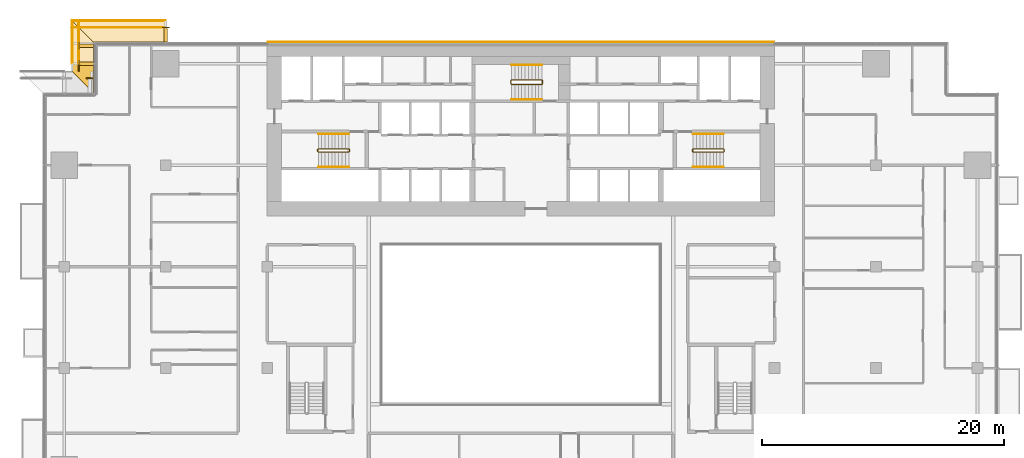
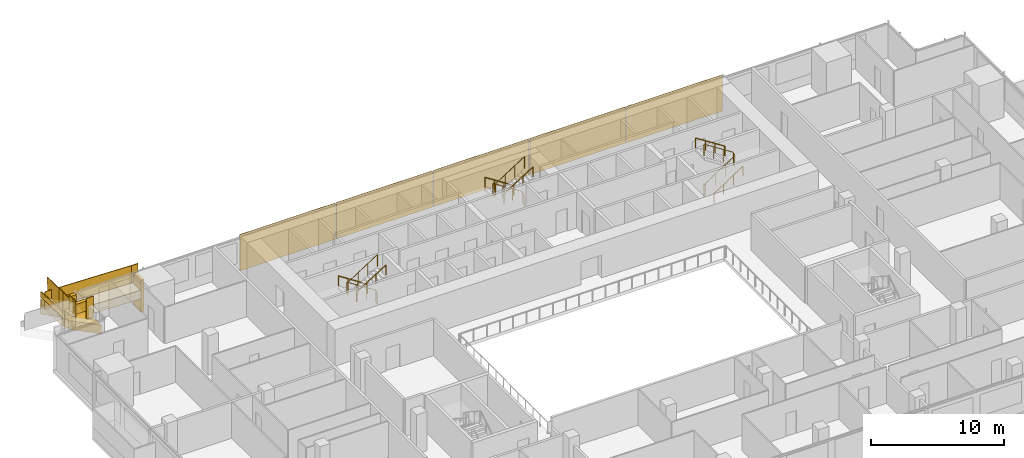
# One storey, part 26 of 29: 16 railings, 13 coverings.
"""IFC4 building model written with IfcOpenShell, lengths in metres."""

import ifcopenshell
import ifcopenshell.guid

model = None  # the IFC model being written
_history = None  # IfcOwnerHistory: only IFC2X3 demands one
_inside = {}  # id of a spatial element -> (the spatial element, [elements in it])
_under = {}  # id of a project, library or spatial element -> (it, [spatial elements below it])
_declared = {}  # id of a project -> (the project, [libraries it declares])
_typed = {}  # id of a type object -> (the type object, [elements of that type])
_made_of = {}  # id of a material, layer set ... -> (it, [elements and type objects made of it])


def new_model(schema):
    """Start an empty IFC model of exactly this schema.

    Asked for "IFC4X3", IfcOpenShell would pick the latest addendum, in which some entities
    have other attributes; the version numbers below select the first issue.
    IFC2X3 requires an IfcOwnerHistory on every rooted entity: one is made here for all.
    """
    global model, _history
    if schema == "IFC4X3":
        model = ifcopenshell.file(schema_version=(4, 3, 0, 0))
    else:
        model = ifcopenshell.file(schema=schema)
    _inside.clear()
    _under.clear()
    _declared.clear()
    _typed.clear()
    _made_of.clear()
    _history = None
    if model.schema == "IFC2X3":
        org = make("IfcOrganization", Name="unknown")
        user = make(
            "IfcPersonAndOrganization",
            ThePerson=make("IfcPerson", FamilyName="unknown"),
            TheOrganization=org,
        )
        app = make(
            "IfcApplication",
            ApplicationDeveloper=org,
            Version="unknown",
            ApplicationFullName="unknown",
            ApplicationIdentifier="unknown",
        )
        _history = make(
            "IfcOwnerHistory",
            OwningUser=user,
            OwningApplication=app,
            ChangeAction="ADDED",
            CreationDate=0,
        )
    return model


def make(cls, **values):
    """One entity of the class cls with the attributes given. An attribute that is None is left unset."""
    return model.create_entity(
        cls, **{name: value for name, value in values.items() if value is not None}
    )


def rooted(cls, **values):
    """An entity with a GlobalId (a new one), such as an element, a storey or a relation."""
    return make(cls, GlobalId=ifcopenshell.guid.new(), OwnerHistory=_history, **values)


def si_unit(unit_type, name, prefix=None):
    """IfcSIUnit, for example si_unit("LENGTHUNIT", "METRE", prefix="MILLI")."""
    return make("IfcSIUnit", UnitType=unit_type, Prefix=prefix, Name=name)


def assignment(units):
    """IfcUnitAssignment: the units of a project."""
    return None if units is None else make("IfcUnitAssignment", Units=units)


def point(xyz):
    """IfcCartesianPoint."""
    return None if xyz is None else make("IfcCartesianPoint", Coordinates=xyz)


def direction(xyz):
    """IfcDirection."""
    return None if xyz is None else make("IfcDirection", DirectionRatios=xyz)


def frame(location, z_axis=None, x_axis=None):
    """IfcAxis2Placement3D, a coordinate frame: its origin and axes. An axis left out is left unset."""
    return make(
        "IfcAxis2Placement3D",
        Location=point(location),
        Axis=direction(z_axis),
        RefDirection=direction(x_axis),
    )


def frame_2d(location, x_axis=None):
    """IfcAxis2Placement2D, a coordinate frame in the plane: its origin and x axis."""
    return make(
        "IfcAxis2Placement2D", Location=point(location), RefDirection=direction(x_axis)
    )


def origin():
    """The frame at (0, 0, 0) with its axes left unset."""
    return frame((0.0, 0.0, 0.0))


def origin_2d():
    """The frame at (0, 0) in the plane with its x axis left unset."""
    return frame_2d((0.0, 0.0))


def place(relative_to, where):
    """IfcLocalPlacement: puts the frame where relative to a parent placement (None: the world)."""
    return make(
        "IfcLocalPlacement", PlacementRelTo=relative_to, RelativePlacement=where
    )


def context(
    kind, dimensions, precision=None, world=None, true_north=None, identifier=None
):
    """IfcGeometricRepresentationContext, for example the 3D "Model" context."""
    return make(
        "IfcGeometricRepresentationContext",
        ContextIdentifier=identifier,
        ContextType=kind,
        CoordinateSpaceDimension=dimensions,
        Precision=precision,
        WorldCoordinateSystem=world,
        TrueNorth=true_north,
    )


def subcontext(parent, identifier, kind, view, scale=None):
    """IfcGeometricRepresentationSubContext, for example "Body" below "Model"."""
    return make(
        "IfcGeometricRepresentationSubContext",
        ContextIdentifier=identifier,
        ContextType=kind,
        ParentContext=parent,
        TargetScale=scale,
        TargetView=view,
    )


def project(units=None, contexts=None):
    """IfcProject with its units and contexts."""
    return rooted(
        "IfcProject",
        Name="project",
        RepresentationContexts=contexts,
        UnitsInContext=assignment(units),
    )


def spatial(cls, under=None, at=None, **own):
    """A site, building, storey or space (cls), placed at a placement, below another one or the project."""
    s = rooted(cls, ObjectPlacement=at, **own)
    if under is not None:
        _under.setdefault(under.id(), (under, []))[1].append(s)
    return s


def polyline(points):
    """IfcPolyline through the points."""
    return make("IfcPolyline", Points=[point(p) for p in points])


def profile(cls, at=None, kind="AREA", **sizes):
    """A parametric profile (cls). Its sizes go by their IFC names, for example OverallWidth=200.0."""
    return make(cls, ProfileType=kind, Position=at, **sizes)


def rectangle(**sizes):
    """IfcRectangleProfileDef."""
    return profile("IfcRectangleProfileDef", **sizes)


def circle(**sizes):
    """IfcCircleProfileDef."""
    return profile("IfcCircleProfileDef", **sizes)


def outline(outer, holes=None, kind="AREA"):
    """IfcArbitraryClosedProfileDef: a profile drawn as a closed curve; with holes, ...WithVoids."""
    if holes is None:
        return make("IfcArbitraryClosedProfileDef", ProfileType=kind, OuterCurve=outer)
    return make(
        "IfcArbitraryProfileDefWithVoids",
        ProfileType=kind,
        OuterCurve=outer,
        InnerCurves=holes,
    )


def extrude(swept, where, along, depth):
    """IfcExtrudedAreaSolid: the profile swept, set in the frame where, extruded along a direction by depth."""
    return make(
        "IfcExtrudedAreaSolid",
        SweptArea=swept,
        Position=where,
        ExtrudedDirection=direction(along),
        Depth=depth,
    )


def shape(context_of_items, identifier, shape_type, items):
    """IfcShapeRepresentation: the items that make up one representation, for example the "Body"."""
    return make(
        "IfcShapeRepresentation",
        ContextOfItems=context_of_items,
        RepresentationIdentifier=identifier,
        RepresentationType=shape_type,
        Items=items,
    )


def material(Name=None, Category=None):
    """IfcMaterial."""
    return make("IfcMaterial", Name=Name, Category=Category)


def layer(
    of_material, thickness, ventilated=None, Name=None, Category=None, Priority=None
):
    """IfcMaterialLayer: one layer of a wall or slab, of a material (None: an air gap)."""
    return make(
        "IfcMaterialLayer",
        Material=of_material,
        LayerThickness=thickness,
        IsVentilated=ventilated,
        Name=Name,
        Category=Category,
        Priority=Priority,
    )


def layer_set(layers, Name=None):
    """IfcMaterialLayerSet."""
    return make("IfcMaterialLayerSet", MaterialLayers=layers, LayerSetName=Name)


def made_of(thing, what):
    """Note that an element or type object is made of a material, layer set ...; save() writes the relation."""
    if what is not None:
        _made_of.setdefault(what.id(), (what, []))[1].append(thing)
    return thing


def type_object(cls, material=None, **own):
    """A type object (cls), such as IfcWallType, which elements share."""
    return made_of(rooted(cls, **own), material)


def element(
    cls,
    number,
    at=None,
    inside=None,
    cuts=None,
    type_object=None,
    material=None,
    context=None,
    identifier="Body",
    shape_type=None,
    held_by="IfcProductDefinitionShape",
    body=None,
    shapes=None,
    **own,
):
    """One element of the class cls, such as IfcWall. Its Tag is "e" and its number.

    at: its placement. inside: the storey or other place that contains it. cuts: it is an
    opening in that element (IfcRelVoidsElement). A single representation is given by context,
    identifier, shape_type and body (its items); several are given by shapes. held_by: the class
    of the entity that holds the representations. save() writes the other relations.
    """
    e = rooted(cls, Tag="e%d" % number, ObjectPlacement=at, **own)
    if body is not None:
        shapes = [shape(context, identifier, shape_type, body)]
    if shapes is not None:
        e.Representation = make(held_by, Representations=shapes)
    if inside is not None:
        _inside.setdefault(inside.id(), (inside, []))[1].append(e)
    if cuts is not None:
        rooted(
            "IfcRelVoidsElement", RelatingBuildingElement=cuts, RelatedOpeningElement=e
        )
    if type_object is not None:
        _typed.setdefault(type_object.id(), (type_object, []))[1].append(e)
    return made_of(e, material)


def aggregate(whole, parts):
    """IfcRelAggregates: a whole, such as a stair, and the parts it consists of."""
    return rooted("IfcRelAggregates", RelatingObject=whole, RelatedObjects=parts)


def save(model, path):
    """Write the relations noted so far, then the file.

    IfcRelAggregates (storeys below a building ...), IfcRelContainedInSpatialStructure (elements
    in a storey), IfcRelDefinesByType, IfcRelAssociatesMaterial and IfcRelDeclares: one each for
    every whole, place, type object, material and project.
    """
    for whole, parts in _under.values():
        aggregate(whole, parts)
    for where, things in _inside.values():
        rooted(
            "IfcRelContainedInSpatialStructure",
            RelatedElements=things,
            RelatingStructure=where,
        )
    for kind, things in _typed.values():
        rooted("IfcRelDefinesByType", RelatedObjects=things, RelatingType=kind)
    for what, things in _made_of.values():
        rooted("IfcRelAssociatesMaterial", RelatedObjects=things, RelatingMaterial=what)
    for by, libraries in _declared.values():
        rooted("IfcRelDeclares", RelatingContext=by, RelatedDefinitions=libraries)
    model.write(path)


model = new_model("IFC4")

# Units and contexts
model_context = context("Model", 3, precision=1e-05, world=origin(), true_north=direction((0.0, 1.0)))
body_context = subcontext(model_context, "Body", "Model", "MODEL_VIEW")
ifc_project = project(units=[si_unit("LENGTHUNIT", "METRE"), si_unit("AREAUNIT", "SQUARE_METRE"), si_unit("VOLUMEUNIT", "CUBIC_METRE"), si_unit("PLANEANGLEUNIT", "RADIAN"), si_unit("MASSUNIT", "GRAM", prefix="KILO")], contexts=[model_context])

# Site, building, storey
site_placement = place(None, origin())
site = spatial("IfcSite", under=ifc_project, at=site_placement, CompositionType="ELEMENT")
building_placement = place(site_placement, origin())
building = spatial("IfcBuilding", under=site, at=building_placement, Name="Saffron Gate Tower", CompositionType="ELEMENT")
storey_placement = place(building_placement, frame((0.0, 0.0, 48.0)))
storey = spatial("IfcBuildingStorey", under=building, at=storey_placement, Name="L10", CompositionType="ELEMENT", Elevation=48.0)

# Coverings
ifc_material_1 = material(Name="Ceramic-printed bronze insulated panel")
ifc_layer_1 = layer(ifc_material_1, 0.0400390625)
ifc_layer_set_1 = layer_set([ifc_layer_1], Name="CLD1 ceramic-printed cladding panel 40")
covering_type_1 = type_object("IfcCoveringType", Name="CLD1 ceramic-printed cladding panel 40", PredefinedType="CLADDING", material=ifc_layer_set_1)
covering_1_placement = place(storey_placement, origin())
element("IfcCovering", 1, at=covering_1_placement, inside=storey, type_object=covering_type_1, Name="CLADDING ceramic-printed panel", PredefinedType="CLADDING", context=body_context, shape_type="SweptSolid", body=[
    extrude(outline(polyline([(108.56494140625, 75.639892578125), (100.235107421875, 75.639892578125), (100.235107421875, 75.60009765625), (108.56494140625, 75.60009765625), (108.56494140625, 75.639892578125)])), origin(), (0.0, 0.0, 1.0), 3.320068359375),
])
covering_2_placement = place(storey_placement, origin())
element("IfcCovering", 2, at=covering_2_placement, inside=storey, type_object=covering_type_1, Name="CLADDING ceramic-printed panel", PredefinedType="CLADDING", context=body_context, shape_type="SweptSolid", body=[
    extrude(outline(polyline([(100.1650390625, 75.639892578125), (91.8349609375, 75.639892578125), (91.8349609375, 75.60009765625), (100.1650390625, 75.60009765625), (100.1650390625, 75.639892578125)])), origin(), (0.0, 0.0, 1.0), 3.320068359375),
])
covering_3_placement = place(storey_placement, origin())
element("IfcCovering", 3, at=covering_3_placement, inside=storey, type_object=covering_type_1, Name="CLADDING ceramic-printed panel", PredefinedType="CLADDING", context=body_context, shape_type="SweptSolid", body=[
    extrude(outline(polyline([(91.764892578125, 75.639892578125), (83.43505859375, 75.639892578125), (83.43505859375, 75.60009765625), (91.764892578125, 75.60009765625), (91.764892578125, 75.639892578125)])), origin(), (0.0, 0.0, 1.0), 3.320068359375),
])
covering_4_placement = place(storey_placement, origin())
element("IfcCovering", 4, at=covering_4_placement, inside=storey, type_object=covering_type_1, Name="CLADDING ceramic-printed panel", PredefinedType="CLADDING", context=body_context, shape_type="SweptSolid", body=[
    extrude(outline(polyline([(83.364990234375, 75.639892578125), (75.034912109375, 75.639892578125), (75.034912109375, 75.60009765625), (83.364990234375, 75.60009765625), (83.364990234375, 75.639892578125)])), origin(), (0.0, 0.0, 1.0), 3.320068359375),
])
covering_5_placement = place(storey_placement, origin())
element("IfcCovering", 5, at=covering_5_placement, inside=storey, type_object=covering_type_1, Name="CLADDING ceramic-printed panel", PredefinedType="CLADDING", context=body_context, shape_type="SweptSolid", body=[
    extrude(outline(polyline([(74.965087890625, 75.639892578125), (66.635009765625, 75.639892578125), (66.635009765625, 75.60009765625), (74.965087890625, 75.60009765625), (74.965087890625, 75.639892578125)])), origin(), (0.0, 0.0, 1.0), 3.320068359375),
])

# Railings
ifc_material_2 = material(Name="Stainless steel and laminated glass", Category="steel")
railing_type_1 = type_object("IfcRailingType", Name="CR1 Stair guard 1100", PredefinedType="GUARDRAIL", material=ifc_material_2)
railing_1_placement = place(storey_placement, frame((73.39990234375, 66.550048828125, 0.0)))
element("IfcRailing", 6, at=railing_1_placement, inside=storey, type_object=railing_type_1, Name="L10 ST-A stair guard 1", PredefinedType="GUARDRAIL", context=body_context, shape_type="SweptSolid", body=[
    extrude(circle(Radius=0.02392578125, at=origin_2d()), frame((0.0, 0.0, 1.076171875), z_axis=(0.0, 1.0, 0.0), x_axis=(-1.0, 0.0, 0.0)), (0.0, 0.0, 1.0), 0.14990234375),
    extrude(circle(Radius=0.02392578125, at=origin_2d()), frame((0.0, 0.14990234375, 1.076171875), z_axis=(-0.257669022063, 0.258932105505, 0.930892496375), x_axis=(-0.708833529934, -0.705375805398, 0.0)), (0.0, 0.0, 1.0), 0.193359375),
    extrude(circle(Radius=0.02392578125, at=origin_2d()), frame((-0.0498046875, 0.199951171875, 1.255859375), z_axis=(-0.841162588446, 0.0, 0.540782303519), x_axis=(0.0, -1.0, 0.0)), (0.0, 0.0, 1.0), 2.995849609375),
    extrude(circle(Radius=0.02392578125, at=origin_2d()), frame((-2.56982421875, 0.199951171875, 2.8759765625), z_axis=(-0.707106781187, -0.707106781187, 0.0), x_axis=(0.707106781187, -0.707106781187, 0.0)), (0.0, 0.0, 1.0), 0.07080078125),
    extrude(circle(Radius=0.02392578125, at=origin_2d()), frame((-2.619873046875, 0.14990234375, 2.8759765625), z_axis=(0.0, -1.0, 0.0), x_axis=(1.0, 0.0, 0.0)), (0.0, 0.0, 1.0), 0.14990234375),
    extrude(circle(Radius=0.02392578125, at=origin_2d()), frame((-2.619873046875, 0.0, 2.8759765625), z_axis=(0.258847668887, -0.258847668887, 0.930588936439), x_axis=(0.707106781187, 0.707106781187, 0.0)), (0.0, 0.0, 1.0), 0.193359375),
    extrude(circle(Radius=0.02392578125, at=origin_2d()), frame((-2.56982421875, -0.050048828125, 3.05615234375), z_axis=(0.841162588446, 0.0, 0.540782303519), x_axis=(0.0, 1.0, 0.0)), (0.0, 0.0, 1.0), 2.995849609375),
    extrude(circle(Radius=0.02099609375, at=origin_2d()), origin(), (0.0, 0.0, 1.0), 1.052001953125),
    extrude(circle(Radius=0.02099609375, at=origin_2d()), frame((0.0, 0.14990234375, 0.0)), (0.0, 0.0, 1.0), 1.052001953125),
    extrude(circle(Radius=0.02099609375, at=origin_2d()), frame((-0.0498046875, 0.199951171875, 0.179931640625)), (0.0, 0.0, 1.0), 1.052001953125),
    extrude(circle(Radius=0.02099609375, at=origin_2d()), frame((-0.889892578125, 0.199951171875, 0.719970703125)), (0.0, 0.0, 1.0), 1.052001953125),
    extrude(circle(Radius=0.02099609375, at=origin_2d()), frame((-1.729736328125, 0.199951171875, 1.260009765625)), (0.0, 0.0, 1.0), 1.052001953125),
    extrude(circle(Radius=0.02099609375, at=origin_2d()), frame((-2.56982421875, 0.199951171875, 1.800048828125)), (0.0, 0.0, 1.0), 1.052001953125),
    extrude(circle(Radius=0.02099609375, at=origin_2d()), frame((-2.619873046875, 0.14990234375, 1.800048828125)), (0.0, 0.0, 1.0), 1.052001953125),
    extrude(circle(Radius=0.02099609375, at=origin_2d()), frame((-2.619873046875, 0.0, 1.800048828125)), (0.0, 0.0, 1.0), 1.052001953125),
    extrude(circle(Radius=0.02099609375, at=origin_2d()), frame((-2.56982421875, -0.050048828125, 1.97998046875)), (0.0, 0.0, 1.0), 1.052001953125),
    extrude(circle(Radius=0.02099609375, at=origin_2d()), frame((-1.729736328125, -0.050048828125, 2.52001953125)), (0.0, 0.0, 1.0), 1.052001953125),
    extrude(circle(Radius=0.02099609375, at=origin_2d()), frame((-0.889892578125, -0.050048828125, 3.06005859375)), (0.0, 0.0, 1.0), 1.052001953125),
    extrude(circle(Radius=0.02099609375, at=origin_2d()), frame((-0.0498046875, -0.050048828125, 3.60009765625)), (0.0, 0.0, 1.0), 1.052001953125),
])
railing_2_placement = place(storey_placement, frame((101.800048828125, 66.699951171875, 0.0)))
element("IfcRailing", 7, at=railing_2_placement, inside=storey, type_object=railing_type_1, Name="L10 ST-B stair guard 1", PredefinedType="GUARDRAIL", context=body_context, shape_type="SweptSolid", body=[
    extrude(circle(Radius=0.02392578125, at=origin_2d()), frame((0.0, 0.0, 1.076171875), z_axis=(0.0, -1.0, 0.0), x_axis=(1.0, 0.0, 0.0)), (0.0, 0.0, 1.0), 0.14990234375),
    extrude(circle(Radius=0.02392578125, at=origin_2d()), frame((0.0, -0.14990234375, 1.076171875), z_axis=(0.258847668887, -0.258847668887, 0.930588936439), x_axis=(0.707106781187, 0.707106781187, 0.0)), (0.0, 0.0, 1.0), 0.193359375),
    extrude(circle(Radius=0.02392578125, at=origin_2d()), frame((0.050048828125, -0.199951171875, 1.255859375), z_axis=(0.841162588446, 0.0, 0.540782303519), x_axis=(0.0, 1.0, 0.0)), (0.0, 0.0, 1.0), 2.995849609375),
    extrude(circle(Radius=0.02392578125, at=origin_2d()), frame((2.570068359375, -0.199951171875, 2.8759765625), z_axis=(0.705375805398, 0.708833529934, 0.0), x_axis=(-0.708833529934, 0.705375805398, 0.0)), (0.0, 0.0, 1.0), 0.070556640625),
    extrude(circle(Radius=0.02392578125, at=origin_2d()), frame((2.619873046875, -0.14990234375, 2.8759765625), z_axis=(0.0, 1.0, 0.0), x_axis=(-1.0, 0.0, 0.0)), (0.0, 0.0, 1.0), 0.14990234375),
    extrude(circle(Radius=0.02392578125, at=origin_2d()), frame((2.619873046875, 0.0, 2.8759765625), z_axis=(-0.257669022063, 0.258932105505, 0.930892496375), x_axis=(-0.708833529934, -0.705375805398, 0.0)), (0.0, 0.0, 1.0), 0.193359375),
    extrude(circle(Radius=0.02392578125, at=origin_2d()), frame((2.570068359375, 0.050048828125, 3.05615234375), z_axis=(-0.841162588446, 0.0, 0.540782303519), x_axis=(0.0, -1.0, 0.0)), (0.0, 0.0, 1.0), 2.995849609375),
    extrude(circle(Radius=0.02099609375, at=origin_2d()), origin(), (0.0, 0.0, 1.0), 1.052001953125),
    extrude(circle(Radius=0.02099609375, at=origin_2d()), frame((0.0, -0.14990234375, 0.0)), (0.0, 0.0, 1.0), 1.052001953125),
    extrude(circle(Radius=0.02099609375, at=origin_2d()), frame((0.050048828125, -0.199951171875, 0.179931640625)), (0.0, 0.0, 1.0), 1.052001953125),
    extrude(circle(Radius=0.02099609375, at=origin_2d()), frame((0.89013671875, -0.199951171875, 0.719970703125)), (0.0, 0.0, 1.0), 1.052001953125),
    extrude(circle(Radius=0.02099609375, at=origin_2d()), frame((1.72998046875, -0.199951171875, 1.260009765625)), (0.0, 0.0, 1.0), 1.052001953125),
    extrude(circle(Radius=0.02099609375, at=origin_2d()), frame((2.570068359375, -0.199951171875, 1.800048828125)), (0.0, 0.0, 1.0), 1.052001953125),
    extrude(circle(Radius=0.02099609375, at=origin_2d()), frame((2.619873046875, -0.14990234375, 1.800048828125)), (0.0, 0.0, 1.0), 1.052001953125),
    extrude(circle(Radius=0.02099609375, at=origin_2d()), frame((2.619873046875, 0.0, 1.800048828125)), (0.0, 0.0, 1.0), 1.052001953125),
    extrude(circle(Radius=0.02099609375, at=origin_2d()), frame((2.570068359375, 0.050048828125, 1.97998046875)), (0.0, 0.0, 1.0), 1.052001953125),
    extrude(circle(Radius=0.02099609375, at=origin_2d()), frame((1.72998046875, 0.050048828125, 2.52001953125)), (0.0, 0.0, 1.0), 1.052001953125),
    extrude(circle(Radius=0.02099609375, at=origin_2d()), frame((0.89013671875, 0.050048828125, 3.06005859375)), (0.0, 0.0, 1.0), 1.052001953125),
    extrude(circle(Radius=0.02099609375, at=origin_2d()), frame((0.050048828125, 0.050048828125, 3.60009765625)), (0.0, 0.0, 1.0), 1.052001953125),
])
railing_3_placement = place(storey_placement, frame((89.39990234375, 72.14990234375, 0.0)))
element("IfcRailing", 8, at=railing_3_placement, inside=storey, type_object=railing_type_1, Name="L10 ST-C stair guard 1", PredefinedType="GUARDRAIL", context=body_context, shape_type="SweptSolid", body=[
    extrude(circle(Radius=0.02392578125, at=origin_2d()), frame((0.0, 0.0, 1.076171875), z_axis=(0.0, 1.0, 0.0), x_axis=(-1.0, 0.0, 0.0)), (0.0, 0.0, 1.0), 0.25),
    extrude(circle(Radius=0.02392578125, at=origin_2d()), frame((0.0, 0.25, 1.076171875), z_axis=(-0.257669022063, 0.258932105505, 0.930892496375), x_axis=(-0.708833529934, -0.705375805398, 0.0)), (0.0, 0.0, 1.0), 0.193359375),
    extrude(circle(Radius=0.02392578125, at=origin_2d()), frame((-0.0498046875, 0.300048828125, 1.255859375), z_axis=(-0.841162588446, 0.0, 0.540782303519), x_axis=(0.0, -1.0, 0.0)), (0.0, 0.0, 1.0), 2.995849609375),
    extrude(circle(Radius=0.02392578125, at=origin_2d()), frame((-2.56982421875, 0.300048828125, 2.8759765625), z_axis=(-0.707106781187, -0.707106781187, 0.0), x_axis=(0.707106781187, -0.707106781187, 0.0)), (0.0, 0.0, 1.0), 0.07080078125),
    extrude(circle(Radius=0.02392578125, at=origin_2d()), frame((-2.619873046875, 0.25, 2.8759765625), z_axis=(0.0, -1.0, 0.0), x_axis=(1.0, 0.0, 0.0)), (0.0, 0.0, 1.0), 0.25),
    extrude(circle(Radius=0.02392578125, at=origin_2d()), frame((-2.619873046875, 0.0, 2.8759765625), z_axis=(0.258932105505, -0.257669022063, 0.930892496375), x_axis=(0.705375805398, 0.708833529934, 0.0)), (0.0, 0.0, 1.0), 0.193359375),
    extrude(circle(Radius=0.02392578125, at=origin_2d()), frame((-2.56982421875, -0.0498046875, 3.05615234375), z_axis=(0.841162588446, 0.0, 0.540782303519), x_axis=(0.0, 1.0, 0.0)), (0.0, 0.0, 1.0), 2.995849609375),
    extrude(circle(Radius=0.02099609375, at=origin_2d()), origin(), (0.0, 0.0, 1.0), 1.052001953125),
    extrude(circle(Radius=0.02099609375, at=origin_2d()), frame((0.0, 0.25, 0.0)), (0.0, 0.0, 1.0), 1.052001953125),
    extrude(circle(Radius=0.02099609375, at=origin_2d()), frame((-0.0498046875, 0.300048828125, 0.179931640625)), (0.0, 0.0, 1.0), 1.052001953125),
    extrude(circle(Radius=0.02099609375, at=origin_2d()), frame((-0.889892578125, 0.300048828125, 0.719970703125)), (0.0, 0.0, 1.0), 1.052001953125),
    extrude(circle(Radius=0.02099609375, at=origin_2d()), frame((-1.729736328125, 0.300048828125, 1.260009765625)), (0.0, 0.0, 1.0), 1.052001953125),
    extrude(circle(Radius=0.02099609375, at=origin_2d()), frame((-2.56982421875, 0.300048828125, 1.800048828125)), (0.0, 0.0, 1.0), 1.052001953125),
    extrude(circle(Radius=0.02099609375, at=origin_2d()), frame((-2.619873046875, 0.25, 1.800048828125)), (0.0, 0.0, 1.0), 1.052001953125),
    extrude(circle(Radius=0.02099609375, at=origin_2d()), frame((-2.619873046875, 0.0, 1.800048828125)), (0.0, 0.0, 1.0), 1.052001953125),
    extrude(circle(Radius=0.02099609375, at=origin_2d()), frame((-2.56982421875, -0.0498046875, 1.97998046875)), (0.0, 0.0, 1.0), 1.052001953125),
    extrude(circle(Radius=0.02099609375, at=origin_2d()), frame((-1.729736328125, -0.0498046875, 2.52001953125)), (0.0, 0.0, 1.0), 1.052001953125),
    extrude(circle(Radius=0.02099609375, at=origin_2d()), frame((-0.889892578125, -0.0498046875, 3.06005859375)), (0.0, 0.0, 1.0), 1.052001953125),
    extrude(circle(Radius=0.02099609375, at=origin_2d()), frame((-0.0498046875, -0.0498046875, 3.60009765625)), (0.0, 0.0, 1.0), 1.052001953125),
])
ifc_material_3 = material(Name="Stainless steel", Category="steel")
railing_type_2 = type_object("IfcRailingType", Name="CR2 Stair handrail 900", PredefinedType="HANDRAIL", material=ifc_material_3)
railing_4_placement = place(storey_placement, frame((73.35009765625, 68.0, 0.179931640625)))
element("IfcRailing", 9, at=railing_4_placement, inside=storey, type_object=railing_type_2, Name="L10 ST-A stair handrail 1", PredefinedType="HANDRAIL", context=body_context, shape_type="SweptSolid", body=[
    extrude(circle(Radius=0.02392578125, at=origin_2d()), frame((0.0, 0.0, 0.8759765625), z_axis=(-0.841162588446, 0.0, 0.540782303519), x_axis=(0.0, -1.0, 0.0)), (0.0, 0.0, 1.0), 2.995849609375),
    extrude(circle(Radius=0.02099609375, at=origin_2d()), origin(), (0.0, 0.0, 1.0), 0.851806640625),
    extrude(circle(Radius=0.02099609375, at=origin_2d()), frame((-0.840087890625, 0.0, 0.5400390625)), (0.0, 0.0, 1.0), 0.851806640625),
    extrude(circle(Radius=0.02099609375, at=origin_2d()), frame((-1.679931640625, 0.0, 1.080078125)), (0.0, 0.0, 1.0), 0.851806640625),
    extrude(circle(Radius=0.02099609375, at=origin_2d()), frame((-2.52001953125, 0.0, 1.6201171875)), (0.0, 0.0, 1.0), 0.851806640625),
])
for number, where, name in (
    (10, (70.830078125, 65.25, 1.97998046875), "L10 ST-A stair handrail 2"),
    (11, (101.85009765625, 65.25, 0.179931640625), "L10 ST-B stair handrail 1"),
):
    element("IfcRailing", number, at=place(storey_placement, frame(where)), inside=storey, type_object=railing_type_2, Name=name, PredefinedType="HANDRAIL", context=body_context, shape_type="SweptSolid", body=[
        extrude(circle(Radius=0.02392578125, at=origin_2d()), frame((0.0, 0.0, 0.8759765625), z_axis=(0.841162588446, 0.0, 0.540782303519), x_axis=(0.0, 1.0, 0.0)), (0.0, 0.0, 1.0), 2.995849609375),
        extrude(circle(Radius=0.02099609375, at=origin_2d()), origin(), (0.0, 0.0, 1.0), 0.851806640625),
        extrude(circle(Radius=0.02099609375, at=origin_2d()), frame((0.840087890625, 0.0, 0.5400390625)), (0.0, 0.0, 1.0), 0.851806640625),
        extrude(circle(Radius=0.02099609375, at=origin_2d()), frame((1.679931640625, 0.0, 1.080078125)), (0.0, 0.0, 1.0), 0.851806640625),
        extrude(circle(Radius=0.02099609375, at=origin_2d()), frame((2.52001953125, 0.0, 1.6201171875)), (0.0, 0.0, 1.0), 0.851806640625),
    ])
for number, where, name in (
    (12, (104.3701171875, 68.0, 1.97998046875), "L10 ST-B stair handrail 2"),
    (13, (89.35009765625, 73.699951171875, 0.179931640625), "L10 ST-C stair handrail 1"),
):
    element("IfcRailing", number, at=place(storey_placement, frame(where)), inside=storey, type_object=railing_type_2, Name=name, PredefinedType="HANDRAIL", context=body_context, shape_type="SweptSolid", body=[
        extrude(circle(Radius=0.02392578125, at=origin_2d()), frame((0.0, 0.0, 0.8759765625), z_axis=(-0.841162588446, 0.0, 0.540782303519), x_axis=(0.0, -1.0, 0.0)), (0.0, 0.0, 1.0), 2.995849609375),
        extrude(circle(Radius=0.02099609375, at=origin_2d()), origin(), (0.0, 0.0, 1.0), 0.851806640625),
        extrude(circle(Radius=0.02099609375, at=origin_2d()), frame((-0.840087890625, 0.0, 0.5400390625)), (0.0, 0.0, 1.0), 0.851806640625),
        extrude(circle(Radius=0.02099609375, at=origin_2d()), frame((-1.679931640625, 0.0, 1.080078125)), (0.0, 0.0, 1.0), 0.851806640625),
        extrude(circle(Radius=0.02099609375, at=origin_2d()), frame((-2.52001953125, 0.0, 1.6201171875)), (0.0, 0.0, 1.0), 0.851806640625),
    ])
railing_5_placement = place(storey_placement, frame((86.830078125, 70.85009765625, 1.97998046875)))
element("IfcRailing", 14, at=railing_5_placement, inside=storey, type_object=railing_type_2, Name="L10 ST-C stair handrail 2", PredefinedType="HANDRAIL", context=body_context, shape_type="SweptSolid", body=[
    extrude(circle(Radius=0.02392578125, at=origin_2d()), frame((0.0, 0.0, 0.8759765625), z_axis=(0.841162588446, 0.0, 0.540782303519), x_axis=(0.0, 1.0, 0.0)), (0.0, 0.0, 1.0), 2.995849609375),
    extrude(circle(Radius=0.02099609375, at=origin_2d()), origin(), (0.0, 0.0, 1.0), 0.851806640625),
    extrude(circle(Radius=0.02099609375, at=origin_2d()), frame((0.840087890625, 0.0, 0.5400390625)), (0.0, 0.0, 1.0), 0.851806640625),
    extrude(circle(Radius=0.02099609375, at=origin_2d()), frame((1.679931640625, 0.0, 1.080078125)), (0.0, 0.0, 1.0), 0.851806640625),
    extrude(circle(Radius=0.02099609375, at=origin_2d()), frame((2.52001953125, 0.0, 1.6201171875)), (0.0, 0.0, 1.0), 0.851806640625),
])

# Coverings
ifc_material_4 = material(Name="Timber, thermally modified ash", Category="wood")
ifc_layer_2 = layer(ifc_material_4, 0.800048828125)
ifc_layer_set_2 = layer_set([ifc_layer_2], Name="LD1 ledge timber")
covering_type_2 = type_object("IfcCoveringType", Name="LD1 ledge timber", PredefinedType="CLADDING", material=ifc_layer_set_2)
covering_6_placement = place(storey_placement, frame((58.199951171875, 75.60009765625, 1.2265625), z_axis=(0.028789477025, 2.3920834e-05, 0.999585496814), x_axis=(-0.9995854971, -1.72e-10, 0.028789477033)))
element("IfcCovering", 15, at=covering_6_placement, inside=storey, type_object=covering_type_2, Name="LEDGE", PredefinedType="CLADDING", context=body_context, shape_type="SweptSolid", body=[
    extrude(outline(polyline([(0.0, 0.0), (6.002489288687248, 8.470329472543003e-22), (7.80328207139786, -1.7998046893537554), (-3.087962377470193e-10, -1.7998046869850703), (0.0, 0.0)])), origin(), (0.0, 0.0, -1.0), 0.800048828125),
])
covering_7_placement = place(storey_placement, frame((52.199951171875, 75.60009765625, 2.2568359375), z_axis=(-1.29947e-06, 0.028742979799, 0.999586835203), x_axis=(-2e-12, -0.999586835204, 0.028742979799)))
element("IfcCovering", 16, at=covering_7_placement, inside=storey, type_object=covering_type_2, Name="LEDGE", PredefinedType="CLADDING", context=body_context, shape_type="SweptSolid", body=[
    extrude(outline(polyline([(0.0, 0.0), (1.8007927850764784, 0.0), (1.800792785079517, -1.8000488281234803), (-1.8005487453187516, -1.8000488281325988), (0.0, 0.0)])), origin(), (0.0, 0.0, -1.0), 0.800048828125),
])
covering_8_placement = place(storey_placement, frame((52.199951171875, 73.800048828125, 2.56591796875), z_axis=(2.6333678e-05, 0.028794305201, 0.999585357683), x_axis=(5.2e-10, -0.99958535803, 0.028794305211)))
element("IfcCovering", 17, at=covering_8_placement, inside=storey, type_object=covering_type_2, Name="LEDGE", PredefinedType="CLADDING", context=body_context, shape_type="SweptSolid", body=[
    extrude(outline(polyline([(0.0, 0.0), (2.401140733194568, 0.0), (0.6003479496762917, -1.8000488290612322), (-9.357805408281585e-10, -1.8000488275008664), (0.0, 0.0)])), origin(), (0.0, 0.0, -1.0), 0.800048828125),
])
ifc_layer_3 = layer(ifc_material_4, 0.080078125)
ifc_layer_set_3 = layer_set([ifc_layer_3], Name="LD2 ledge planter trough")
covering_type_3 = type_object("IfcCoveringType", Name="LD2 ledge planter trough", PredefinedType="CLADDING", material=ifc_layer_set_3)
covering_9_placement = place(storey_placement, frame((58.199951171875, 77.39990234375, 1.2265625), z_axis=(0.0, 1.0, 0.0), x_axis=(-0.999585655924, 0.0, 0.028783962047)))
element("IfcCovering", 18, at=covering_9_placement, inside=storey, type_object=covering_type_3, Name="LEDGE planter trough", PredefinedType="CLADDING", context=body_context, shape_type="SweptSolid", body=[
    extrude(outline(polyline([(0.0, 0.0), (7.803282071825423, 2.7755575615628914e-17), (7.817674052849086, 0.4997928279619612), (0.014391981023662846, 0.4997928279619612), (0.0, 0.0)])), origin(), (0.0, 0.0, -1.0), 0.080078125),
])
covering_10_placement = place(storey_placement, frame((50.39990234375, 77.39990234375, 2.205078125), z_axis=(-1.0, 0.0, 0.0), x_axis=(0.0, -0.999586816534, 0.028743629041)))
element("IfcCovering", 19, at=covering_10_placement, inside=storey, type_object=covering_type_3, Name="LEDGE planter trough", PredefinedType="CLADDING", context=body_context, shape_type="SweptSolid", body=[
    extrude(outline(polyline([(0.0, 0.0), (3.6013415303990284, 0.0), (3.615713344919565, 0.4997934082672433), (0.01437181452053653, 0.4997934082672433), (0.0, 0.0)])), origin(), (0.0, 0.0, -1.0), 0.080078125),
])
ifc_layer_4 = layer(ifc_material_4, 0.300048828125)
ifc_layer_set_4 = layer_set([ifc_layer_4], Name="LD3 ledge riser fin")
covering_type_4 = type_object("IfcCoveringType", Name="LD3 ledge riser fin", PredefinedType="CLADDING", material=ifc_layer_set_4)
covering_11_placement = place(storey_placement, frame((58.199951171875, 76.159912109375, -0.773681640625), z_axis=(0.0, 0.0, 1.0), x_axis=(-1.0, 0.0, 0.0)))
element("IfcCovering", 20, at=covering_11_placement, inside=storey, type_object=covering_type_4, Name="LEDGE riser fin", PredefinedType="CLADDING", context=body_context, shape_type="SweptSolid", body=[
    extrude(rectangle(XDim=0.300048828125, YDim=1.1201171875, at=origin_2d()), origin(), (0.0, 0.0, 1.0), 2.900390625),
])
covering_12_placement = place(storey_placement, frame((51.639892578125, 75.300048828125, 0.599609375), z_axis=(0.0, 0.0, 1.0), x_axis=(0.0, -1.0, 0.0)))
element("IfcCovering", 21, at=covering_12_placement, inside=storey, type_object=covering_type_4, Name="LEDGE riser fin", PredefinedType="CLADDING", context=body_context, shape_type="SweptSolid", body=[
    extrude(rectangle(XDim=0.300048828125, YDim=1.1201171875, at=origin_2d()), origin(), (0.0, 0.0, 1.0), 2.557373046875),
])
covering_13_placement = place(storey_placement, frame((51.639892578125, 73.800048828125, 1.5087890625), z_axis=(0.0, 0.0, 1.0), x_axis=(0.0, -1.0, 0.0)))
element("IfcCovering", 22, at=covering_13_placement, inside=storey, type_object=covering_type_4, Name="LEDGE riser fin", PredefinedType="CLADDING", context=body_context, shape_type="SweptSolid", body=[
    extrude(rectangle(XDim=0.300048828125, YDim=1.1201171875, at=origin_2d()), origin(), (0.0, 0.0, 1.0), 1.957275390625),
])

# Railings
railing_type_3 = type_object("IfcRailingType", Name="LG1 ledge balustrade", PredefinedType="BALUSTRADE", material=ifc_material_4)
railing_6_placement = place(storey_placement, frame((58.199951171875, 76.800048828125, 1.2265625)))
element("IfcRailing", 23, at=railing_6_placement, inside=storey, type_object=railing_type_3, Name="LEDGE BALUSTRADE", PredefinedType="BALUSTRADE", context=body_context, shape_type="SweptSolid", body=[
    extrude(rectangle(XDim=0.06005859375, YDim=1.60009765625, at=origin_2d()), frame((0.0, 0.0, 0.800048828125), z_axis=(-0.999585655924, 0.0, 0.028783962047), x_axis=(0.0, -1.0, 0.0)), (0.0, 0.0, 1.0), 7.80322265625),
])
railing_7_placement = place(storey_placement, frame((58.5, 76.800048828125, 0.026123046875)))
element("IfcRailing", 24, at=railing_7_placement, inside=storey, type_object=railing_type_3, Name="LEDGE BALUSTRADE", PredefinedType="BALUSTRADE", context=body_context, shape_type="SweptSolid", body=[
    extrude(rectangle(XDim=0.06005859375, YDim=2.80029296875, at=origin_2d()), frame((0.0, 0.0, 1.400146484375), z_axis=(-1.0, 0.0, 0.0), x_axis=(0.0, -1.0, 0.0)), (0.0, 0.0, 1.0), 0.60009765625),
])
railing_8_placement = place(storey_placement, frame((51.0, 77.39990234375, 2.205078125)))
element("IfcRailing", 25, at=railing_8_placement, inside=storey, type_object=railing_type_3, Name="LEDGE BALUSTRADE", PredefinedType="BALUSTRADE", context=body_context, shape_type="SweptSolid", body=[
    extrude(rectangle(XDim=0.06005859375, YDim=1.60009765625, at=origin_2d()), frame((0.0, 0.0, 0.800048828125), z_axis=(0.0, -0.999586816534, 0.028743629041), x_axis=(1.0, 0.0, 0.0)), (0.0, 0.0, 1.0), 3.601318359375),
])
railing_9_placement = place(storey_placement, frame((51.0, 75.60009765625, 1.3994140625)))
element("IfcRailing", 26, at=railing_9_placement, inside=storey, type_object=railing_type_3, Name="LEDGE BALUSTRADE", PredefinedType="BALUSTRADE", context=body_context, shape_type="SweptSolid", body=[
    extrude(rectangle(XDim=0.06005859375, YDim=2.45751953125, at=origin_2d()), frame((0.0, 0.0, 1.228759765625), z_axis=(0.0, -1.0, 0.0), x_axis=(1.0, 0.0, 0.0)), (0.0, 0.0, 1.0), 0.60009765625),
])
railing_10_placement = place(storey_placement, frame((51.0, 73.800048828125, 2.56591796875)))
element("IfcRailing", 27, at=railing_10_placement, inside=storey, type_object=railing_type_3, Name="LEDGE BALUSTRADE", PredefinedType="BALUSTRADE", context=body_context, shape_type="SweptSolid", body=[
    extrude(rectangle(XDim=0.06005859375, YDim=1.60009765625, at=origin_2d()), frame((0.0, 0.0, 0.800048828125), z_axis=(0.0, -0.999583081391, 0.028873229772), x_axis=(1.0, 0.0, 0.0)), (0.0, 0.0, 1.0), 0.600341796875),
])
railing_11_placement = place(storey_placement, frame((51.0, 74.10009765625, 2.30859375)))
element("IfcRailing", 28, at=railing_11_placement, inside=storey, type_object=railing_type_3, Name="LEDGE BALUSTRADE", PredefinedType="BALUSTRADE", context=body_context, shape_type="SweptSolid", body=[
    extrude(rectangle(XDim=0.06005859375, YDim=1.857177734375, at=origin_2d()), frame((0.0, 0.0, 0.9287109375), z_axis=(0.0, -1.0, 0.0), x_axis=(1.0, 0.0, 0.0)), (0.0, 0.0, 1.0), 0.60009765625),
])
railing_12_placement = place(storey_placement, frame((52.199951171875, 72.60009765625, 2.635009765625)))
element("IfcRailing", 29, at=railing_12_placement, inside=storey, type_object=railing_type_3, Name="LEDGE BALUSTRADE", PredefinedType="BALUSTRADE", context=body_context, shape_type="SweptSolid", body=[
    extrude(rectangle(XDim=0.06005859375, YDim=1.943115234375, at=origin_2d()), frame((0.0, 0.0, 0.9716796875), z_axis=(-1.0, 0.0, 0.0), x_axis=(0.0, -1.0, 0.0)), (0.0, 0.0, 1.0), 0.599853515625),
])

save(model, "model.ifc")
